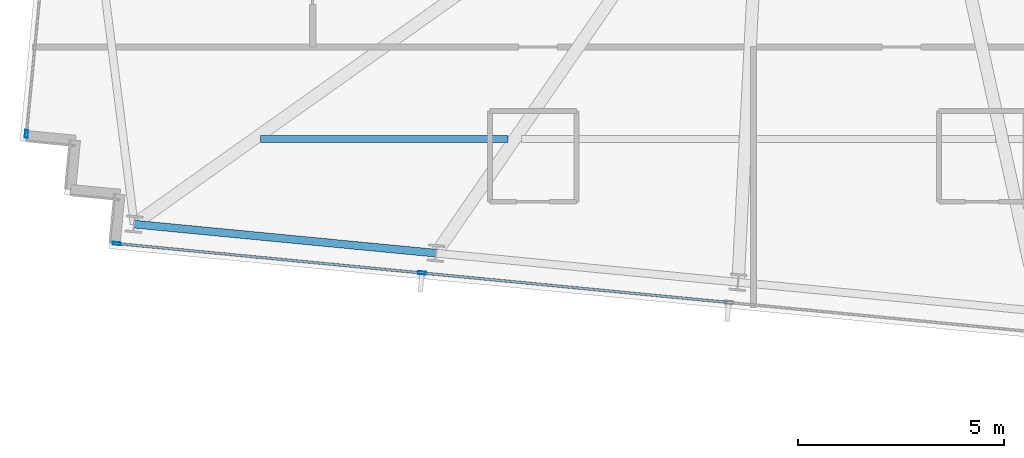
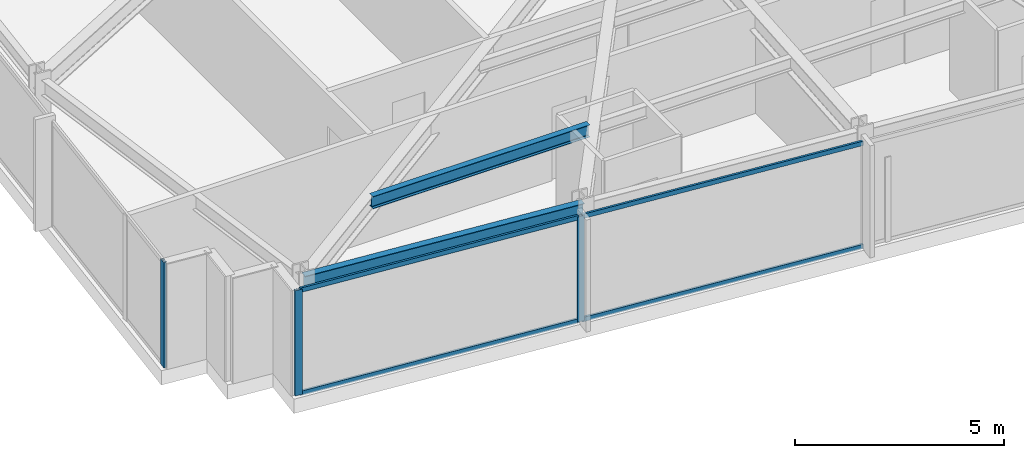
# One storey, part 2 of 37: 7 members, 2 beams, 2 elements without a shape of their own.
"""IFC4 building model written with IfcOpenShell, lengths in metres."""

import ifcopenshell
import ifcopenshell.guid

model = None  # the IFC model being written
_history = None  # IfcOwnerHistory: only IFC2X3 demands one
_inside = {}  # id of a spatial element -> (the spatial element, [elements in it])
_under = {}  # id of a project, library or spatial element -> (it, [spatial elements below it])
_declared = {}  # id of a project -> (the project, [libraries it declares])
_typed = {}  # id of a type object -> (the type object, [elements of that type])
_made_of = {}  # id of a material, layer set ... -> (it, [elements and type objects made of it])


def new_model(schema):
    """Start an empty IFC model of exactly this schema.

    Asked for "IFC4X3", IfcOpenShell would pick the latest addendum, in which some entities
    have other attributes; the version numbers below select the first issue.
    IFC2X3 requires an IfcOwnerHistory on every rooted entity: one is made here for all.
    """
    global model, _history
    if schema == "IFC4X3":
        model = ifcopenshell.file(schema_version=(4, 3, 0, 0))
    else:
        model = ifcopenshell.file(schema=schema)
    _inside.clear()
    _under.clear()
    _declared.clear()
    _typed.clear()
    _made_of.clear()
    _history = None
    if model.schema == "IFC2X3":
        org = make("IfcOrganization", Name="unknown")
        user = make(
            "IfcPersonAndOrganization",
            ThePerson=make("IfcPerson", FamilyName="unknown"),
            TheOrganization=org,
        )
        app = make(
            "IfcApplication",
            ApplicationDeveloper=org,
            Version="unknown",
            ApplicationFullName="unknown",
            ApplicationIdentifier="unknown",
        )
        _history = make(
            "IfcOwnerHistory",
            OwningUser=user,
            OwningApplication=app,
            ChangeAction="ADDED",
            CreationDate=0,
        )
    return model


def make(cls, **values):
    """One entity of the class cls with the attributes given. An attribute that is None is left unset."""
    return model.create_entity(
        cls, **{name: value for name, value in values.items() if value is not None}
    )


def rooted(cls, **values):
    """An entity with a GlobalId (a new one), such as an element, a storey or a relation."""
    return make(cls, GlobalId=ifcopenshell.guid.new(), OwnerHistory=_history, **values)


def si_unit(unit_type, name, prefix=None):
    """IfcSIUnit, for example si_unit("LENGTHUNIT", "METRE", prefix="MILLI")."""
    return make("IfcSIUnit", UnitType=unit_type, Prefix=prefix, Name=name)


def assignment(units):
    """IfcUnitAssignment: the units of a project."""
    return None if units is None else make("IfcUnitAssignment", Units=units)


def point(xyz):
    """IfcCartesianPoint."""
    return None if xyz is None else make("IfcCartesianPoint", Coordinates=xyz)


def direction(xyz):
    """IfcDirection."""
    return None if xyz is None else make("IfcDirection", DirectionRatios=xyz)


def frame(location, z_axis=None, x_axis=None):
    """IfcAxis2Placement3D, a coordinate frame: its origin and axes. An axis left out is left unset."""
    return make(
        "IfcAxis2Placement3D",
        Location=point(location),
        Axis=direction(z_axis),
        RefDirection=direction(x_axis),
    )


def frame_2d(location, x_axis=None):
    """IfcAxis2Placement2D, a coordinate frame in the plane: its origin and x axis."""
    return make(
        "IfcAxis2Placement2D", Location=point(location), RefDirection=direction(x_axis)
    )


def origin():
    """The frame at (0, 0, 0) with its axes left unset."""
    return frame((0.0, 0.0, 0.0))


def origin_2d():
    """The frame at (0, 0) in the plane with its x axis left unset."""
    return frame_2d((0.0, 0.0))


def place(relative_to, where):
    """IfcLocalPlacement: puts the frame where relative to a parent placement (None: the world)."""
    return make(
        "IfcLocalPlacement", PlacementRelTo=relative_to, RelativePlacement=where
    )


def context(
    kind, dimensions, precision=None, world=None, true_north=None, identifier=None
):
    """IfcGeometricRepresentationContext, for example the 3D "Model" context."""
    return make(
        "IfcGeometricRepresentationContext",
        ContextIdentifier=identifier,
        ContextType=kind,
        CoordinateSpaceDimension=dimensions,
        Precision=precision,
        WorldCoordinateSystem=world,
        TrueNorth=true_north,
    )


def subcontext(parent, identifier, kind, view, scale=None):
    """IfcGeometricRepresentationSubContext, for example "Body" below "Model"."""
    return make(
        "IfcGeometricRepresentationSubContext",
        ContextIdentifier=identifier,
        ContextType=kind,
        ParentContext=parent,
        TargetScale=scale,
        TargetView=view,
    )


def project(units=None, contexts=None):
    """IfcProject with its units and contexts."""
    return rooted(
        "IfcProject",
        Name="project",
        RepresentationContexts=contexts,
        UnitsInContext=assignment(units),
    )


def spatial(cls, under=None, at=None, **own):
    """A site, building, storey or space (cls), placed at a placement, below another one or the project."""
    s = rooted(cls, ObjectPlacement=at, **own)
    if under is not None:
        _under.setdefault(under.id(), (under, []))[1].append(s)
    return s


def profile(cls, at=None, kind="AREA", **sizes):
    """A parametric profile (cls). Its sizes go by their IFC names, for example OverallWidth=200.0."""
    return make(cls, ProfileType=kind, Position=at, **sizes)


def hollow_rectangle(**sizes):
    """IfcRectangleHollowProfileDef."""
    return profile("IfcRectangleHollowProfileDef", **sizes)


def i_section(**sizes):
    """IfcIShapeProfileDef."""
    return profile("IfcIShapeProfileDef", **sizes)


def extrude(swept, where, along, depth):
    """IfcExtrudedAreaSolid: the profile swept, set in the frame where, extruded along a direction by depth."""
    return make(
        "IfcExtrudedAreaSolid",
        SweptArea=swept,
        Position=where,
        ExtrudedDirection=direction(along),
        Depth=depth,
    )


def shape(context_of_items, identifier, shape_type, items):
    """IfcShapeRepresentation: the items that make up one representation, for example the "Body"."""
    return make(
        "IfcShapeRepresentation",
        ContextOfItems=context_of_items,
        RepresentationIdentifier=identifier,
        RepresentationType=shape_type,
        Items=items,
    )


def material(Name=None, Category=None):
    """IfcMaterial."""
    return make("IfcMaterial", Name=Name, Category=Category)


def material_profile(
    of_material, cross_section, Name=None, Category=None, Priority=None
):
    """IfcMaterialProfile: a cross section and its material."""
    return make(
        "IfcMaterialProfile",
        Name=Name,
        Material=of_material,
        Profile=cross_section,
        Priority=Priority,
        Category=Category,
    )


def profile_set(profiles, Name=None, composite=None):
    """IfcMaterialProfileSet."""
    return make(
        "IfcMaterialProfileSet",
        Name=Name,
        MaterialProfiles=profiles,
        CompositeProfile=composite,
    )


def made_of(thing, what):
    """Note that an element or type object is made of a material, layer set ...; save() writes the relation."""
    if what is not None:
        _made_of.setdefault(what.id(), (what, []))[1].append(thing)
    return thing


def type_object(cls, material=None, **own):
    """A type object (cls), such as IfcWallType, which elements share."""
    return made_of(rooted(cls, **own), material)


def element(
    cls,
    number,
    at=None,
    inside=None,
    cuts=None,
    type_object=None,
    material=None,
    context=None,
    identifier="Body",
    shape_type=None,
    held_by="IfcProductDefinitionShape",
    body=None,
    shapes=None,
    **own,
):
    """One element of the class cls, such as IfcWall. Its Tag is "e" and its number.

    at: its placement. inside: the storey or other place that contains it. cuts: it is an
    opening in that element (IfcRelVoidsElement). A single representation is given by context,
    identifier, shape_type and body (its items); several are given by shapes. held_by: the class
    of the entity that holds the representations. save() writes the other relations.
    """
    e = rooted(cls, Tag="e%d" % number, ObjectPlacement=at, **own)
    if body is not None:
        shapes = [shape(context, identifier, shape_type, body)]
    if shapes is not None:
        e.Representation = make(held_by, Representations=shapes)
    if inside is not None:
        _inside.setdefault(inside.id(), (inside, []))[1].append(e)
    if cuts is not None:
        rooted(
            "IfcRelVoidsElement", RelatingBuildingElement=cuts, RelatedOpeningElement=e
        )
    if type_object is not None:
        _typed.setdefault(type_object.id(), (type_object, []))[1].append(e)
    return made_of(e, material)


def aggregate(whole, parts):
    """IfcRelAggregates: a whole, such as a stair, and the parts it consists of."""
    return rooted("IfcRelAggregates", RelatingObject=whole, RelatedObjects=parts)


def save(model, path):
    """Write the relations noted so far, then the file.

    IfcRelAggregates (storeys below a building ...), IfcRelContainedInSpatialStructure (elements
    in a storey), IfcRelDefinesByType, IfcRelAssociatesMaterial and IfcRelDeclares: one each for
    every whole, place, type object, material and project.
    """
    for whole, parts in _under.values():
        aggregate(whole, parts)
    for where, things in _inside.values():
        rooted(
            "IfcRelContainedInSpatialStructure",
            RelatedElements=things,
            RelatingStructure=where,
        )
    for kind, things in _typed.values():
        rooted("IfcRelDefinesByType", RelatedObjects=things, RelatingType=kind)
    for what, things in _made_of.values():
        rooted("IfcRelAssociatesMaterial", RelatedObjects=things, RelatingMaterial=what)
    for by, libraries in _declared.values():
        rooted("IfcRelDeclares", RelatingContext=by, RelatedDefinitions=libraries)
    model.write(path)


model = new_model("IFC4")

# Units and contexts
model_context = context("Model", 3, precision=1e-05, world=origin(), true_north=direction((0.0, 1.0)))
body_context = subcontext(model_context, "Body", "Model", "MODEL_VIEW")
ifc_project = project(units=[si_unit("LENGTHUNIT", "METRE"), si_unit("AREAUNIT", "SQUARE_METRE"), si_unit("VOLUMEUNIT", "CUBIC_METRE"), si_unit("PLANEANGLEUNIT", "RADIAN"), si_unit("MASSUNIT", "GRAM", prefix="KILO")], contexts=[model_context])

# Site, building, storey
site_placement = place(None, origin())
site = spatial("IfcSite", under=ifc_project, at=site_placement, CompositionType="ELEMENT")
building_placement = place(site_placement, origin())
building = spatial("IfcBuilding", under=site, at=building_placement, Name="Yelkora Congress Tower", CompositionType="ELEMENT")
storey_placement = place(building_placement, frame((0.0, 0.0, 149.0)))
storey = spatial("IfcBuildingStorey", under=building, at=storey_placement, Name="L40", CompositionType="ELEMENT", Elevation=149.0)

# Beams
ifc_material_1 = material(Name="Steel S355J2", Category="steel")
ifc_material_profile_1 = material_profile(ifc_material_1, i_section(OverallWidth=0.169921875, OverallDepth=0.360107421875, WebThickness=0.008056640625, FlangeThickness=0.0126953125, FilletRadius=0.01806640625, at=origin_2d()), Name="IPE 360")
ifc_profile_set_1 = profile_set([ifc_material_profile_1], Name="Steel S355J2")
beam_type_1 = type_object("IfcBeamType", Name="BM-JOIST-IPE360", PredefinedType="JOIST", material=ifc_profile_set_1)
beam_1_placement = place(storey_placement, frame((6.98779296875, 16.421142578125, 2.89990234375), z_axis=(1.0, 0.0, 0.0), x_axis=(0.0, 1.0, 0.0)))
element("IfcBeam", 1, at=beam_1_placement, inside=storey, type_object=beam_type_1, Name="L40 Composite Floor Joist 5", PredefinedType="JOIST", context=body_context, shape_type="SweptSolid", body=[
    extrude(i_section(OverallWidth=0.169921875, OverallDepth=0.360107421875, WebThickness=0.008056640625, FlangeThickness=0.0126953125, FilletRadius=0.01806640625, at=origin_2d()), origin(), (0.0, 0.0, 1.0), 6.002685546875),
])
ifc_material_profile_2 = material_profile(ifc_material_1, i_section(OverallWidth=0.18994140625, OverallDepth=0.449951171875, WebThickness=0.009521484375, FlangeThickness=0.0146484375, FilletRadius=0.02099609375, at=origin_2d()), Name="IPE 450")
ifc_profile_set_2 = profile_set([ifc_material_profile_2], Name="Steel S355J2")
beam_type_2 = type_object("IfcBeamType", Name="BM-SPAN-IPE450", PredefinedType="SPANDREL", material=ifc_profile_set_2)
beam_2_placement = place(storey_placement, frame((3.919189453125, 14.357421875, 2.85498046875), z_axis=(0.995393938538, -0.095869218844, 0.0), x_axis=(0.095869218844, 0.995393938538, 0.0)))
element("IfcBeam", 2, at=beam_2_placement, inside=storey, type_object=beam_type_2, Name="L40 Perimeter Beam 2", PredefinedType="SPANDREL", context=body_context, shape_type="SweptSolid", body=[
    extrude(i_section(OverallWidth=0.18994140625, OverallDepth=0.449951171875, WebThickness=0.009521484375, FlangeThickness=0.0146484375, FilletRadius=0.02099609375, at=origin_2d()), origin(), (0.0, 0.0, 1.0), 7.357177734375),
])

# Curtain wall, member
ifc_material_2 = material(Name="Anodised aluminium and insulated glass", Category="aluminium")
curtain_wall_type = type_object("IfcCurtainWallType", Name="CW-SYS-B3", PredefinedType="NOTDEFINED", material=ifc_material_2)
curtain_wall_1_placement = place(storey_placement, origin())
curtain_wall_1 = element("IfcCurtainWall", 3, at=curtain_wall_1_placement, inside=storey, type_object=curtain_wall_type, Name="L40 Unitised Curtain Wall 5", PredefinedType="NOTDEFINED")
ifc_material_3 = material(Name="Anodised aluminium 6063-T6", Category="aluminium")
ifc_material_profile_3 = material_profile(ifc_material_3, hollow_rectangle(XDim=0.070068359375, YDim=0.18994140625, WallThickness=0.00390625, at=origin_2d()), Name="ALU 70x190x4")
ifc_profile_set_3 = profile_set([ifc_material_profile_3], Name="Anodised aluminium 6063-T6")
member_type_1 = type_object("IfcMemberType", Name="MEM-ML-B3", PredefinedType="MULLION", material=ifc_profile_set_3)
member_1_placement = place(storey_placement, frame((1.306640625, 16.542724609375, 0.0), z_axis=(0.0, 0.0, 1.0), x_axis=(-0.995396242473, 0.095845294465, 0.0)))
member_1 = element("IfcMember", 4, at=member_1_placement, type_object=member_type_1, Name="CW-B3 mullion 1", PredefinedType="MULLION", context=body_context, shape_type="SweptSolid", body=[
    extrude(hollow_rectangle(XDim=0.070068359375, YDim=0.18994140625, WallThickness=0.00390625, at=origin_2d()), origin(), (0.0, 0.0, 1.0), 3.080078125),
])
aggregate(curtain_wall_1, [member_1])

# Curtain wall, members
curtain_wall_2_placement = place(storey_placement, origin())
curtain_wall_2 = element("IfcCurtainWall", 5, at=curtain_wall_2_placement, inside=storey, type_object=curtain_wall_type, Name="L40 Unitised Curtain Wall 20", PredefinedType="NOTDEFINED")
member_2_placement = place(storey_placement, frame((10.902099609375, 13.172607421875, 0.0), z_axis=(0.0, 0.0, 1.0), x_axis=(-0.095844680679, -0.995396301573, 0.0)))
member_2 = element("IfcMember", 6, at=member_2_placement, type_object=member_type_1, Name="CW-B3 mullion 7", PredefinedType="MULLION", context=body_context, shape_type="SweptSolid", body=[
    extrude(hollow_rectangle(XDim=0.070068359375, YDim=0.18994140625, WallThickness=0.00390625, at=origin_2d()), origin(), (0.0, 0.0, 1.0), 3.080078125),
])
member_3_placement = place(storey_placement, frame((3.4970703125, 13.885498046875, 0.0), z_axis=(0.0, 0.0, 1.0), x_axis=(-0.095844680679, -0.995396301573, 0.0)))
member_3 = element("IfcMember", 7, at=member_3_placement, type_object=member_type_1, Name="CW-B3 mullion 8", PredefinedType="MULLION", context=body_context, shape_type="SweptSolid", body=[
    extrude(hollow_rectangle(XDim=0.070068359375, YDim=0.18994140625, WallThickness=0.00390625, at=origin_2d()), origin(), (0.0, 0.0, 1.0), 3.080078125),
])
ifc_material_profile_4 = material_profile(ifc_material_3, hollow_rectangle(XDim=0.06005859375, YDim=0.1298828125, WallThickness=0.00390625, at=origin_2d()), Name="ALU 60x130x4")
ifc_profile_set_4 = profile_set([ifc_material_profile_4], Name="Anodised aluminium 6063-T6")
member_type_2 = type_object("IfcMemberType", Name="MEM-TR-B3", PredefinedType="USERDEFINED", material=ifc_profile_set_4)
member_4_placement = place(storey_placement, frame((18.30712890625, 12.45947265625, 0.030029296875), z_axis=(-0.99539548672, 0.095853142967, 0.0), x_axis=(-0.095853142967, -0.99539548672, 0.0)))
member_4 = element("IfcMember", 8, at=member_4_placement, type_object=member_type_2, Name="CW-B3 transom 6.1", ObjectType="TRANSOM", PredefinedType="USERDEFINED", context=body_context, shape_type="SweptSolid", body=[
    extrude(hollow_rectangle(XDim=0.06005859375, YDim=0.1298828125, WallThickness=0.00390625, at=origin_2d()), origin(), (0.0, 0.0, 1.0), 7.404296875),
])
member_5_placement = place(storey_placement, frame((18.30712890625, 12.45947265625, 3.050048828125), z_axis=(-0.99539548672, 0.095853142967, 0.0), x_axis=(-0.095853142967, -0.99539548672, 0.0)))
member_5 = element("IfcMember", 9, at=member_5_placement, type_object=member_type_2, Name="CW-B3 transom 6.2", ObjectType="TRANSOM", PredefinedType="USERDEFINED", context=body_context, shape_type="SweptSolid", body=[
    extrude(hollow_rectangle(XDim=0.06005859375, YDim=0.1298828125, WallThickness=0.00390625, at=origin_2d()), origin(), (0.0, 0.0, 1.0), 7.404296875),
])
member_6_placement = place(storey_placement, frame((10.8671875, 13.17578125, 0.030029296875), z_axis=(-0.995396212442, 0.095845606344, 0.0), x_axis=(-0.095845606344, -0.995396212442, 0.0)))
member_6 = element("IfcMember", 10, at=member_6_placement, type_object=member_type_2, Name="CW-B3 transom 7.1", ObjectType="TRANSOM", PredefinedType="USERDEFINED", context=body_context, shape_type="SweptSolid", body=[
    extrude(hollow_rectangle(XDim=0.06005859375, YDim=0.1298828125, WallThickness=0.00390625, at=origin_2d()), origin(), (0.0, 0.0, 1.0), 7.369140625),
])
member_7_placement = place(storey_placement, frame((10.8671875, 13.17578125, 3.050048828125), z_axis=(-0.995396212442, 0.095845606344, 0.0), x_axis=(-0.095845606344, -0.995396212442, 0.0)))
member_7 = element("IfcMember", 11, at=member_7_placement, type_object=member_type_2, Name="CW-B3 transom 7.2", ObjectType="TRANSOM", PredefinedType="USERDEFINED", context=body_context, shape_type="SweptSolid", body=[
    extrude(hollow_rectangle(XDim=0.06005859375, YDim=0.1298828125, WallThickness=0.00390625, at=origin_2d()), origin(), (0.0, 0.0, 1.0), 7.369140625),
])
aggregate(curtain_wall_2, [member_2, member_3, member_4, member_5, member_6, member_7])

save(model, "model.ifc")
